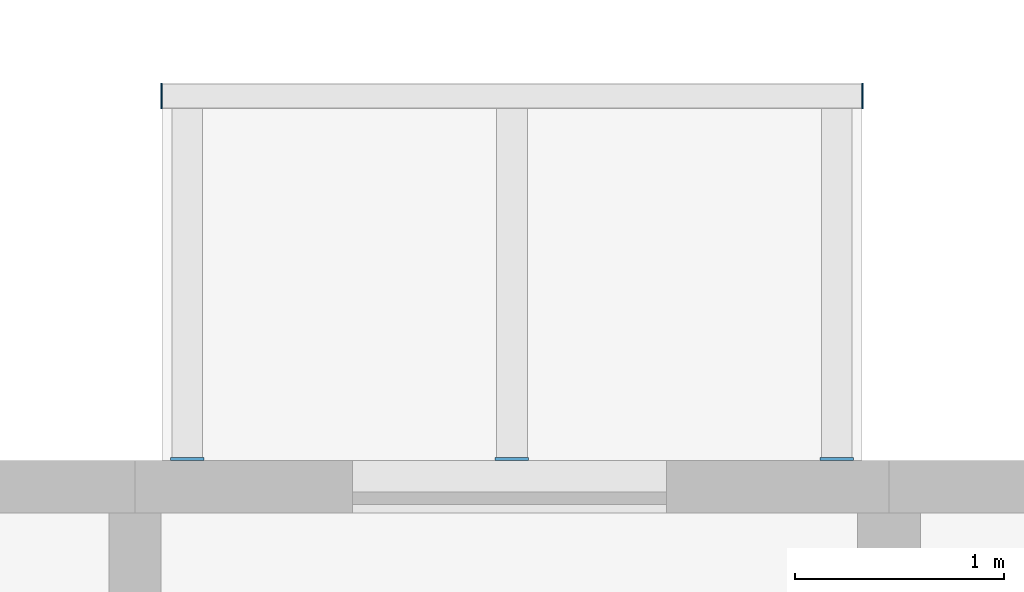
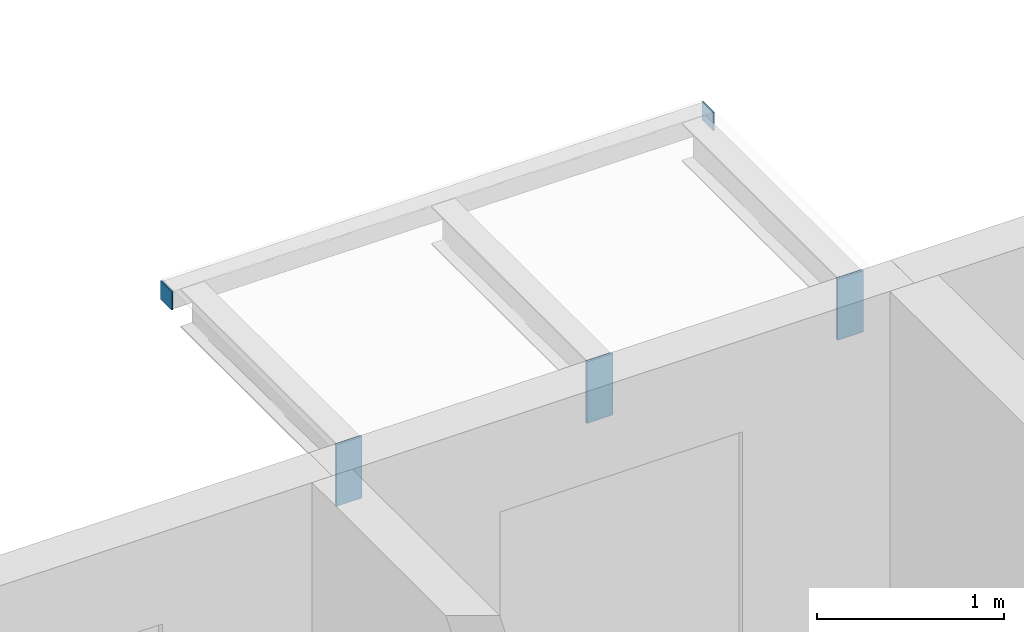
# One storey, part 90 of 115: 5 discrete accessories.
"""IFC4 building model written with IfcOpenShell, lengths in metres."""

from ifc_helpers import new_model, si_unit, direction, frame, origin, origin_2d, place, context, subcontext, project, spatial, rectangle, extrude, material, layer, layer_set, type_object, element, save


model = new_model("IFC4")

# Units and contexts
model_context = context("Model", 3, precision=1e-05, world=origin(), true_north=direction((0.0, 1.0)))
body_context = subcontext(model_context, "Body", "Model", "MODEL_VIEW")
ifc_project = project(units=[si_unit("LENGTHUNIT", "METRE"), si_unit("AREAUNIT", "SQUARE_METRE"), si_unit("VOLUMEUNIT", "CUBIC_METRE"), si_unit("PLANEANGLEUNIT", "RADIAN"), si_unit("MASSUNIT", "GRAM", prefix="KILO")], contexts=[model_context])

# Site, building, storey
site_placement = place(None, origin())
site = spatial("IfcSite", under=ifc_project, at=site_placement, CompositionType="ELEMENT")
building_placement = place(site_placement, origin())
building = spatial("IfcBuilding", under=site, at=building_placement, Name="Ridgestep Commons", CompositionType="ELEMENT")
storey_placement = place(building_placement, frame((0.0, 0.0, 6.0)))
storey = spatial("IfcBuildingStorey", under=building, at=storey_placement, Name="L02", CompositionType="ELEMENT", Elevation=6.0)

# Discrete accessories
ifc_material_1 = material(Name="Weathering steel S355J2W", Category="steel")
ifc_layer_1 = layer(ifc_material_1, 0.014892578125)
ifc_layer_set_1 = layer_set([ifc_layer_1], Name="Tray bracket plate 15")
discrete_accessory_type_1 = type_object("IfcDiscreteAccessoryType", Name="Tray bracket plate 15", PredefinedType="BRACKET", material=ifc_layer_set_1)
for number, where, z_axis, x_axis, name in (
    (1, (193.85009765625, 77.257568359375, 2.588623046875), (0.0, 0.0, 1.0), (1.0, 0.0, 0.0), "Tray bracket C3T1-03.1"),
    (2, (195.39990234375, 77.257568359375, 2.588623046875), (0.0, 0.0, 1.0), (1.0, 0.0, 0.0), "Tray bracket C3T1-03.2"),
    (3, (196.949951171875, 77.257568359375, 2.588623046875), (0.0, 0.0, 1.0), (1.0, 0.0, 0.0), "Tray bracket C3T1-03.3"),
):
    element("IfcDiscreteAccessory", number, at=place(storey_placement, frame(where, z_axis=z_axis, x_axis=x_axis)), inside=storey, type_object=discrete_accessory_type_1, Name=name, PredefinedType="BRACKET", context=body_context, shape_type="SweptSolid", body=[
        extrude(rectangle(XDim=0.159912109375, YDim=0.014892578125, at=origin_2d()), origin(), (0.0, 0.0, 1.0), 0.4013671875),
    ])
ifc_material_2 = material(Name="Weathering steel S355J2W", Category="steel")
ifc_layer_2 = layer(ifc_material_2, 0.008056640625)
ifc_layer_set_2 = layer_set([ifc_layer_2], Name="Tray edge member end plate 120 x 120 x 8")
discrete_accessory_type_2 = type_object("IfcDiscreteAccessoryType", Name="Tray edge member end plate 120 x 120 x 8", PredefinedType="BRACKET", material=ifc_layer_set_2)
for number, where, z_axis, x_axis, name in (
    (4, (193.72607421875, 78.989990234375, 2.869873046875), (0.0, 0.0, 1.0), (1.0, 0.0, 0.0), "Tray edge member end plate C3T1-03 west"),
    (5, (197.073974609375, 78.989990234375, 2.869873046875), (0.0, 0.0, 1.0), (1.0, 0.0, 0.0), "Tray edge member end plate C3T1-03 east"),
):
    element("IfcDiscreteAccessory", number, at=place(storey_placement, frame(where, z_axis=z_axis, x_axis=x_axis)), inside=storey, type_object=discrete_accessory_type_2, Name=name, PredefinedType="BRACKET", context=body_context, shape_type="SweptSolid", body=[
        extrude(rectangle(XDim=0.008056640625, YDim=0.1201171875, at=origin_2d()), origin(), (0.0, 0.0, 1.0), 0.1201171875),
    ])

save(model, "model.ifc")
